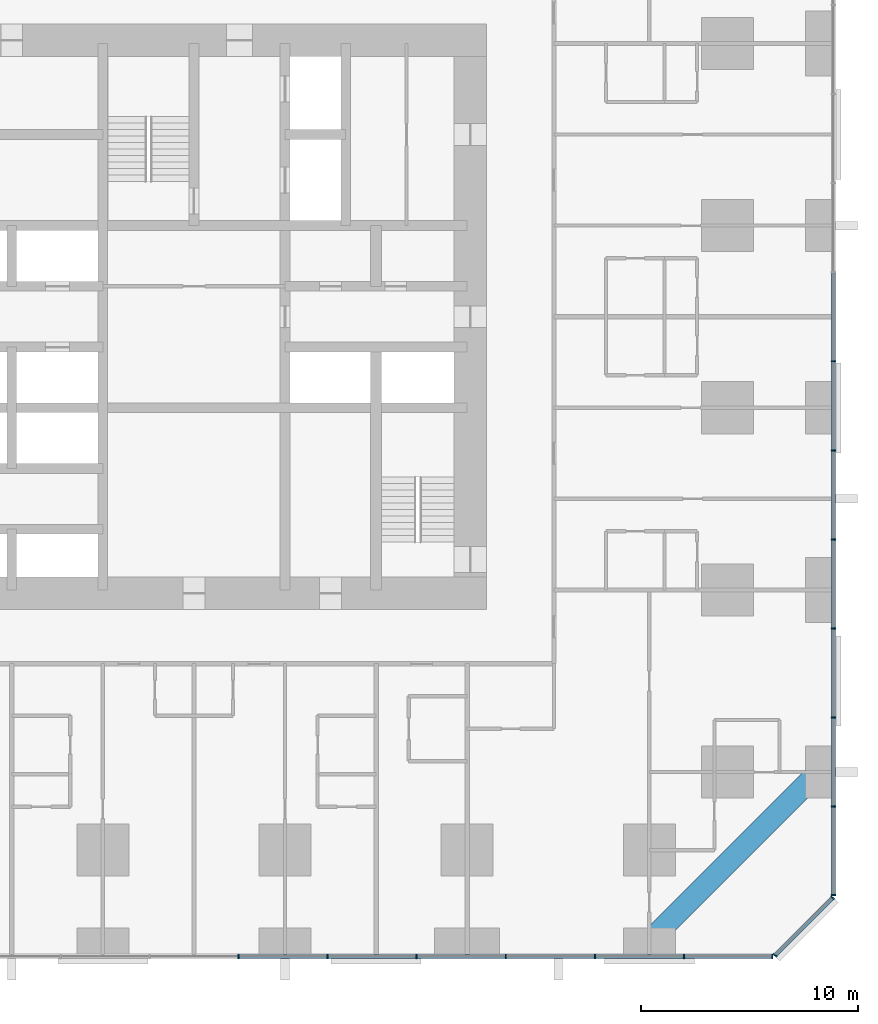
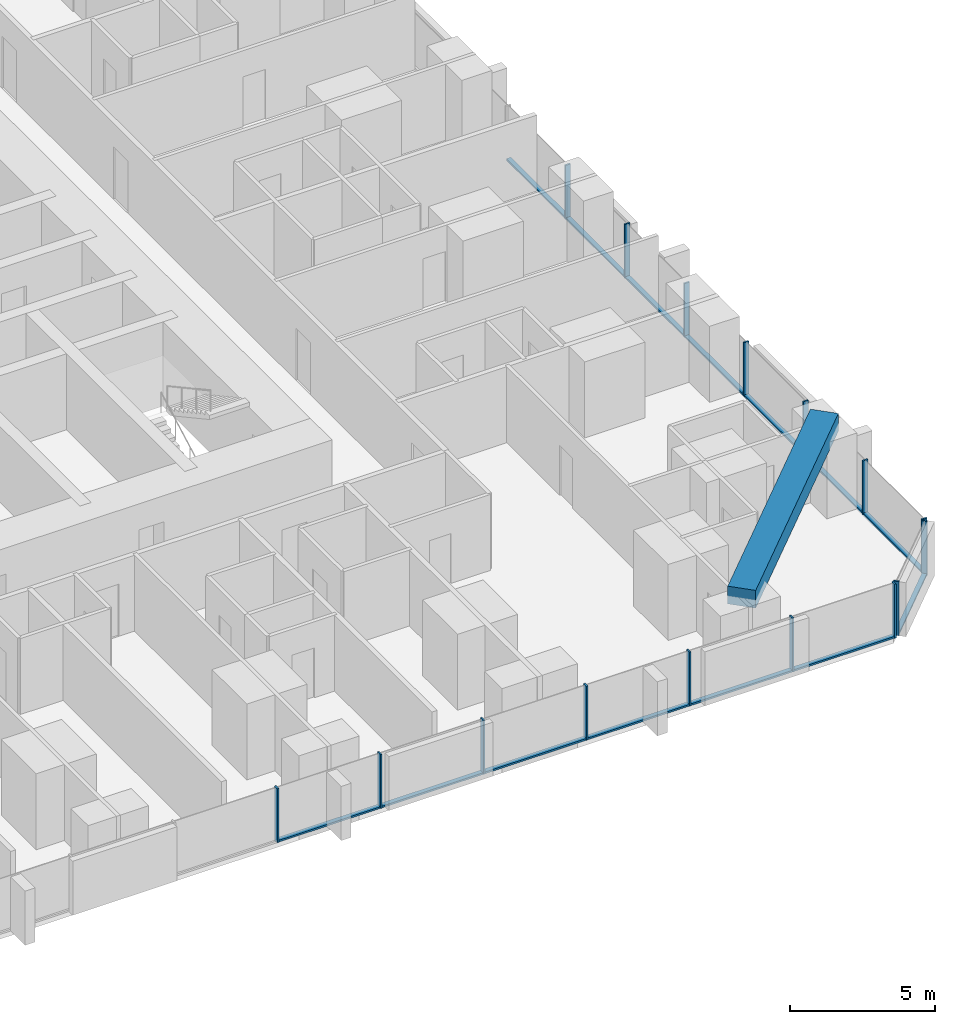
# One storey, part 4 of 16: 30 members, 1 beam, 3 elements without a shape of their own.
"""IFC4 building model written with IfcOpenShell, lengths in metres."""

from ifc_helpers import new_model, si_unit, direction, frame, origin, origin_2d, place, context, subcontext, project, spatial, rectangle, extrude, material, material_profile, profile_set, type_object, element, aggregate, save


model = new_model("IFC4")

# Units and contexts
model_context = context("Model", 3, precision=1e-05, world=origin(), true_north=direction((0.0, 1.0)))
body_context = subcontext(model_context, "Body", "Model", "MODEL_VIEW")
ifc_project = project(units=[si_unit("LENGTHUNIT", "METRE"), si_unit("AREAUNIT", "SQUARE_METRE"), si_unit("VOLUMEUNIT", "CUBIC_METRE"), si_unit("PLANEANGLEUNIT", "RADIAN"), si_unit("MASSUNIT", "GRAM", prefix="KILO")], contexts=[model_context])

# Site, building, storey
site_placement = place(None, origin())
site = spatial("IfcSite", under=ifc_project, at=site_placement, CompositionType="ELEMENT")
building_placement = place(site_placement, origin())
building = spatial("IfcBuilding", under=site, at=building_placement, Name="Dunama Terrace Hotel", CompositionType="ELEMENT")
storey_placement = place(building_placement, frame((0.0, 0.0, 84.60009765625)))
storey = spatial("IfcBuildingStorey", under=building, at=storey_placement, Name="L21", CompositionType="ELEMENT", Elevation=84.60009765625)

# Curtain wall, members
ifc_material_1 = material(Name="Aluminium curtain wall system", Category="aluminium")
curtain_wall_type = type_object("IfcCurtainWallType", Name="Unitised fritted glass wall CW-A", PredefinedType="NOTDEFINED", material=ifc_material_1)
curtain_wall_1_placement = place(storey_placement, origin())
curtain_wall_1 = element("IfcCurtainWall", 1, at=curtain_wall_1_placement, inside=storey, type_object=curtain_wall_type, Name="Unitised fritted glass wall CW-A L21", PredefinedType="NOTDEFINED")
ifc_material_2 = material(Name="Aluminium mullion", Category="aluminium")
ifc_material_profile_1 = material_profile(ifc_material_2, rectangle(XDim=0.06494140625, YDim=0.199951171875, at=origin_2d()), Name="CWA MULLION 65X200")
ifc_profile_set_1 = profile_set([ifc_material_profile_1], Name="Aluminium mullion")
member_type_1 = type_object("IfcMemberType", Name="CWA mullion 65x200", PredefinedType="MULLION", material=ifc_profile_set_1)
member_1_placement = place(storey_placement, frame((31.4541015625, -0.10009765625, 0.0), z_axis=(0.0, 0.0, 1.0), x_axis=(1.0, 0.0, 0.0)))
member_1 = element("IfcMember", 2, at=member_1_placement, type_object=member_type_1, Name="CWA mullion", PredefinedType="MULLION", context=body_context, shape_type="SweptSolid", body=[
    extrude(rectangle(XDim=0.06494140625, YDim=0.199951171875, at=origin_2d()), origin(), (0.0, 0.0, 1.0), 2.27880859375),
])
member_2_placement = place(storey_placement, frame((35.56201171875, -0.10009765625, 0.0), z_axis=(0.0, 0.0, 1.0), x_axis=(1.0, 0.0, 0.0)))
member_2 = element("IfcMember", 3, at=member_2_placement, type_object=member_type_1, Name="CWA mullion", PredefinedType="MULLION", context=body_context, shape_type="SweptSolid", body=[
    extrude(rectangle(XDim=0.06494140625, YDim=0.199951171875, at=origin_2d()), origin(), (0.0, 0.0, 1.0), 2.27880859375),
])
member_3_placement = place(storey_placement, frame((39.6689453125, -0.10009765625, 0.0), z_axis=(0.0, 0.0, 1.0), x_axis=(1.0, 0.0, 0.0)))
member_3 = element("IfcMember", 4, at=member_3_placement, type_object=member_type_1, Name="CWA mullion", PredefinedType="MULLION", context=body_context, shape_type="SweptSolid", body=[
    extrude(rectangle(XDim=0.06494140625, YDim=0.199951171875, at=origin_2d()), origin(), (0.0, 0.0, 1.0), 2.27880859375),
])
member_4_placement = place(storey_placement, frame((43.777099609375, -0.10009765625, 0.0), z_axis=(0.0, 0.0, 1.0), x_axis=(1.0, 0.0, 0.0)))
member_4 = element("IfcMember", 5, at=member_4_placement, type_object=member_type_1, Name="CWA mullion", PredefinedType="MULLION", context=body_context, shape_type="SweptSolid", body=[
    extrude(rectangle(XDim=0.06494140625, YDim=0.199951171875, at=origin_2d()), origin(), (0.0, 0.0, 1.0), 2.27880859375),
])
member_5_placement = place(storey_placement, frame((47.885009765625, -0.10009765625, 0.0), z_axis=(0.0, 0.0, 1.0), x_axis=(1.0, 0.0, 0.0)))
member_5 = element("IfcMember", 6, at=member_5_placement, type_object=member_type_1, Name="CWA mullion", PredefinedType="MULLION", context=body_context, shape_type="SweptSolid", body=[
    extrude(rectangle(XDim=0.06494140625, YDim=0.199951171875, at=origin_2d()), origin(), (0.0, 0.0, 1.0), 2.27880859375),
])
member_6_placement = place(storey_placement, frame((51.991943359375, -0.10009765625, 0.0), z_axis=(0.0, 0.0, 1.0), x_axis=(1.0, 0.0, 0.0)))
member_6 = element("IfcMember", 7, at=member_6_placement, type_object=member_type_1, Name="CWA mullion", PredefinedType="MULLION", context=body_context, shape_type="SweptSolid", body=[
    extrude(rectangle(XDim=0.06494140625, YDim=0.199951171875, at=origin_2d()), origin(), (0.0, 0.0, 1.0), 2.27880859375),
])
member_7_placement = place(storey_placement, frame((56.06689453125, -0.10009765625, 0.0), z_axis=(0.0, 0.0, 1.0), x_axis=(1.0, 0.0, 0.0)))
member_7 = element("IfcMember", 8, at=member_7_placement, type_object=member_type_1, Name="CWA mullion", PredefinedType="MULLION", context=body_context, shape_type="SweptSolid", body=[
    extrude(rectangle(XDim=0.06494140625, YDim=0.199951171875, at=origin_2d()), origin(), (0.0, 0.0, 1.0), 2.27880859375),
])

curtain_wall_2_placement = place(storey_placement, origin())
curtain_wall_2 = element("IfcCurtainWall", 9, at=curtain_wall_2_placement, inside=storey, type_object=curtain_wall_type, Name="Unitised fritted glass wall CW-A L21", PredefinedType="NOTDEFINED")
member_8_placement = place(storey_placement, frame((56.194091796875, -0.048095703125, 0.0), z_axis=(0.0, 0.0, 1.0), x_axis=(0.707106781187, 0.707106781187, 0.0)))
member_8 = element("IfcMember", 10, at=member_8_placement, type_object=member_type_1, Name="CWA mullion", PredefinedType="MULLION", context=body_context, shape_type="SweptSolid", body=[
    extrude(rectangle(XDim=0.06494140625, YDim=0.199951171875, at=origin_2d()), origin(), (0.0, 0.0, 1.0), 2.27880859375),
])
member_9_placement = place(storey_placement, frame((58.847900390625, 2.60595703125, 0.0), z_axis=(0.0, 0.0, 1.0), x_axis=(0.707106781187, 0.707106781187, 0.0)))
member_9 = element("IfcMember", 11, at=member_9_placement, type_object=member_type_1, Name="CWA mullion", PredefinedType="MULLION", context=body_context, shape_type="SweptSolid", body=[
    extrude(rectangle(XDim=0.06494140625, YDim=0.199951171875, at=origin_2d()), origin(), (0.0, 0.0, 1.0), 2.27880859375),
])

curtain_wall_3_placement = place(storey_placement, origin())
curtain_wall_3 = element("IfcCurtainWall", 12, at=curtain_wall_3_placement, inside=storey, type_object=curtain_wall_type, Name="Unitised fritted glass wall CW-A L21", PredefinedType="NOTDEFINED")
member_10_placement = place(storey_placement, frame((58.89990234375, 2.73291015625, 0.0), z_axis=(0.0, 0.0, 1.0), x_axis=(0.0, 1.0, 0.0)))
member_10 = element("IfcMember", 13, at=member_10_placement, type_object=member_type_1, Name="CWA mullion", PredefinedType="MULLION", context=body_context, shape_type="SweptSolid", body=[
    extrude(rectangle(XDim=0.06494140625, YDim=0.199951171875, at=origin_2d()), origin(), (0.0, 0.0, 1.0), 2.27880859375),
])
member_11_placement = place(storey_placement, frame((58.89990234375, 6.80810546875, 0.0), z_axis=(0.0, 0.0, 1.0), x_axis=(0.0, 1.0, 0.0)))
member_11 = element("IfcMember", 14, at=member_11_placement, type_object=member_type_1, Name="CWA mullion", PredefinedType="MULLION", context=body_context, shape_type="SweptSolid", body=[
    extrude(rectangle(XDim=0.06494140625, YDim=0.199951171875, at=origin_2d()), origin(), (0.0, 0.0, 1.0), 2.27880859375),
])
member_12_placement = place(storey_placement, frame((58.89990234375, 10.9150390625, 0.0), z_axis=(0.0, 0.0, 1.0), x_axis=(0.0, 1.0, 0.0)))
member_12 = element("IfcMember", 15, at=member_12_placement, type_object=member_type_1, Name="CWA mullion", PredefinedType="MULLION", context=body_context, shape_type="SweptSolid", body=[
    extrude(rectangle(XDim=0.06494140625, YDim=0.199951171875, at=origin_2d()), origin(), (0.0, 0.0, 1.0), 2.27880859375),
])
member_13_placement = place(storey_placement, frame((58.89990234375, 15.02294921875, 0.0), z_axis=(0.0, 0.0, 1.0), x_axis=(0.0, 1.0, 0.0)))
member_13 = element("IfcMember", 16, at=member_13_placement, type_object=member_type_1, Name="CWA mullion", PredefinedType="MULLION", context=body_context, shape_type="SweptSolid", body=[
    extrude(rectangle(XDim=0.06494140625, YDim=0.199951171875, at=origin_2d()), origin(), (0.0, 0.0, 1.0), 2.27880859375),
])
member_14_placement = place(storey_placement, frame((58.89990234375, 19.131103515625, 0.0), z_axis=(0.0, 0.0, 1.0), x_axis=(0.0, 1.0, 0.0)))
member_14 = element("IfcMember", 17, at=member_14_placement, type_object=member_type_1, Name="CWA mullion", PredefinedType="MULLION", context=body_context, shape_type="SweptSolid", body=[
    extrude(rectangle(XDim=0.06494140625, YDim=0.199951171875, at=origin_2d()), origin(), (0.0, 0.0, 1.0), 2.27880859375),
])
member_15_placement = place(storey_placement, frame((58.89990234375, 23.238037109375, 0.0), z_axis=(0.0, 0.0, 1.0), x_axis=(0.0, 1.0, 0.0)))
member_15 = element("IfcMember", 18, at=member_15_placement, type_object=member_type_1, Name="CWA mullion", PredefinedType="MULLION", context=body_context, shape_type="SweptSolid", body=[
    extrude(rectangle(XDim=0.06494140625, YDim=0.199951171875, at=origin_2d()), origin(), (0.0, 0.0, 1.0), 2.27880859375),
])
member_16_placement = place(storey_placement, frame((58.89990234375, 27.345947265625, 0.0), z_axis=(0.0, 0.0, 1.0), x_axis=(0.0, 1.0, 0.0)))
member_16 = element("IfcMember", 19, at=member_16_placement, type_object=member_type_1, Name="CWA mullion", PredefinedType="MULLION", context=body_context, shape_type="SweptSolid", body=[
    extrude(rectangle(XDim=0.06494140625, YDim=0.199951171875, at=origin_2d()), origin(), (0.0, 0.0, 1.0), 2.27880859375),
])

# Member
ifc_material_3 = material(Name="Aluminium transom", Category="aluminium")
ifc_material_profile_2 = material_profile(ifc_material_3, rectangle(XDim=0.179931640625, YDim=0.074951171875, at=origin_2d()), Name="CWA TRANSOM 180X75")
ifc_profile_set_2 = profile_set([ifc_material_profile_2], Name="Aluminium transom")
member_type_2 = type_object("IfcMemberType", Name="CWA transom 180x75", PredefinedType="USERDEFINED", material=ifc_profile_set_2)
member_17_placement = place(storey_placement, frame((31.486083984375, -0.10009765625, 0.037353515625), z_axis=(1.0, 0.0, 0.0), x_axis=(0.0, 1.0, 0.0)))
member_17 = element("IfcMember", 20, at=member_17_placement, type_object=member_type_2, Name="CWA transom", ObjectType="TRANSOM", PredefinedType="USERDEFINED", context=body_context, shape_type="SweptSolid", body=[
    extrude(rectangle(XDim=0.179931640625, YDim=0.074951171875, at=origin_2d()), origin(), (0.0, 0.0, 1.0), 4.04296875),
])

member_18_placement = place(storey_placement, frame((35.593994140625, -0.10009765625, 0.037353515625), z_axis=(1.0, 0.0, 0.0), x_axis=(0.0, 1.0, 0.0)))
member_18 = element("IfcMember", 21, at=member_18_placement, type_object=member_type_2, Name="CWA transom", ObjectType="TRANSOM", PredefinedType="USERDEFINED", context=body_context, shape_type="SweptSolid", body=[
    extrude(rectangle(XDim=0.179931640625, YDim=0.074951171875, at=origin_2d()), origin(), (0.0, 0.0, 1.0), 4.04296875),
])

member_19_placement = place(storey_placement, frame((39.701904296875, -0.10009765625, 0.037353515625), z_axis=(1.0, 0.0, 0.0), x_axis=(0.0, 1.0, 0.0)))
member_19 = element("IfcMember", 22, at=member_19_placement, type_object=member_type_2, Name="CWA transom", ObjectType="TRANSOM", PredefinedType="USERDEFINED", context=body_context, shape_type="SweptSolid", body=[
    extrude(rectangle(XDim=0.179931640625, YDim=0.074951171875, at=origin_2d()), origin(), (0.0, 0.0, 1.0), 4.0419921875),
])

member_20_placement = place(storey_placement, frame((43.80908203125, -0.10009765625, 0.037353515625), z_axis=(1.0, 0.0, 0.0), x_axis=(0.0, 1.0, 0.0)))
member_20 = element("IfcMember", 23, at=member_20_placement, type_object=member_type_2, Name="CWA transom", ObjectType="TRANSOM", PredefinedType="USERDEFINED", context=body_context, shape_type="SweptSolid", body=[
    extrude(rectangle(XDim=0.179931640625, YDim=0.074951171875, at=origin_2d()), origin(), (0.0, 0.0, 1.0), 4.04296875),
])

member_21_placement = place(storey_placement, frame((47.9169921875, -0.10009765625, 0.037353515625), z_axis=(1.0, 0.0, 0.0), x_axis=(0.0, 1.0, 0.0)))
member_21 = element("IfcMember", 24, at=member_21_placement, type_object=member_type_2, Name="CWA transom", ObjectType="TRANSOM", PredefinedType="USERDEFINED", context=body_context, shape_type="SweptSolid", body=[
    extrude(rectangle(XDim=0.179931640625, YDim=0.074951171875, at=origin_2d()), origin(), (0.0, 0.0, 1.0), 4.04296875),
])

member_22_placement = place(storey_placement, frame((52.02490234375, -0.10009765625, 0.037353515625), z_axis=(1.0, 0.0, 0.0), x_axis=(0.0, 1.0, 0.0)))
member_22 = element("IfcMember", 25, at=member_22_placement, type_object=member_type_2, Name="CWA transom", ObjectType="TRANSOM", PredefinedType="USERDEFINED", context=body_context, shape_type="SweptSolid", body=[
    extrude(rectangle(XDim=0.179931640625, YDim=0.074951171875, at=origin_2d()), origin(), (0.0, 0.0, 1.0), 4.010009765625),
])

aggregate(curtain_wall_1, [member_1, member_2, member_3, member_4, member_5, member_6, member_7, member_17, member_18, member_19, member_20, member_21, member_22])

member_23_placement = place(storey_placement, frame((56.217041015625, -0.02490234375, 0.037353515625), z_axis=(0.707106781187, 0.707106781187, 0.0), x_axis=(-0.707106781187, 0.707106781187, 0.0)))
member_23 = element("IfcMember", 26, at=member_23_placement, type_object=member_type_2, Name="CWA transom", ObjectType="TRANSOM", PredefinedType="USERDEFINED", context=body_context, shape_type="SweptSolid", body=[
    extrude(rectangle(XDim=0.179931640625, YDim=0.074951171875, at=origin_2d()), origin(), (0.0, 0.0, 1.0), 3.688232421875),
])

aggregate(curtain_wall_2, [member_8, member_9, member_23])

member_24_placement = place(storey_placement, frame((58.89990234375, 2.764892578125, 0.037353515625), z_axis=(0.0, 1.0, 0.0), x_axis=(-1.0, 0.0, 0.0)))
member_24 = element("IfcMember", 27, at=member_24_placement, type_object=member_type_2, Name="CWA transom", ObjectType="TRANSOM", PredefinedType="USERDEFINED", context=body_context, shape_type="SweptSolid", body=[
    extrude(rectangle(XDim=0.179931640625, YDim=0.074951171875, at=origin_2d()), origin(), (0.0, 0.0, 1.0), 4.010009765625),
])

member_25_placement = place(storey_placement, frame((58.89990234375, 6.840087890625, 0.037353515625), z_axis=(0.0, 1.0, 0.0), x_axis=(-1.0, 0.0, 0.0)))
member_25 = element("IfcMember", 28, at=member_25_placement, type_object=member_type_2, Name="CWA transom", ObjectType="TRANSOM", PredefinedType="USERDEFINED", context=body_context, shape_type="SweptSolid", body=[
    extrude(rectangle(XDim=0.179931640625, YDim=0.074951171875, at=origin_2d()), origin(), (0.0, 0.0, 1.0), 4.04296875),
])

member_26_placement = place(storey_placement, frame((58.89990234375, 10.947998046875, 0.037353515625), z_axis=(0.0, 1.0, 0.0), x_axis=(-1.0, 0.0, 0.0)))
member_26 = element("IfcMember", 29, at=member_26_placement, type_object=member_type_2, Name="CWA transom", ObjectType="TRANSOM", PredefinedType="USERDEFINED", context=body_context, shape_type="SweptSolid", body=[
    extrude(rectangle(XDim=0.179931640625, YDim=0.074951171875, at=origin_2d()), origin(), (0.0, 0.0, 1.0), 4.04296875),
])

member_27_placement = place(storey_placement, frame((58.89990234375, 15.055908203125, 0.037353515625), z_axis=(0.0, 1.0, 0.0), x_axis=(-1.0, 0.0, 0.0)))
member_27 = element("IfcMember", 30, at=member_27_placement, type_object=member_type_2, Name="CWA transom", ObjectType="TRANSOM", PredefinedType="USERDEFINED", context=body_context, shape_type="SweptSolid", body=[
    extrude(rectangle(XDim=0.179931640625, YDim=0.074951171875, at=origin_2d()), origin(), (0.0, 0.0, 1.0), 4.0419921875),
])

member_28_placement = place(storey_placement, frame((58.89990234375, 19.1630859375, 0.037353515625), z_axis=(0.0, 1.0, 0.0), x_axis=(-1.0, 0.0, 0.0)))
member_28 = element("IfcMember", 31, at=member_28_placement, type_object=member_type_2, Name="CWA transom", ObjectType="TRANSOM", PredefinedType="USERDEFINED", context=body_context, shape_type="SweptSolid", body=[
    extrude(rectangle(XDim=0.179931640625, YDim=0.074951171875, at=origin_2d()), origin(), (0.0, 0.0, 1.0), 4.04296875),
])

member_29_placement = place(storey_placement, frame((58.89990234375, 23.27099609375, 0.037353515625), z_axis=(0.0, 1.0, 0.0), x_axis=(-1.0, 0.0, 0.0)))
member_29 = element("IfcMember", 32, at=member_29_placement, type_object=member_type_2, Name="CWA transom", ObjectType="TRANSOM", PredefinedType="USERDEFINED", context=body_context, shape_type="SweptSolid", body=[
    extrude(rectangle(XDim=0.179931640625, YDim=0.074951171875, at=origin_2d()), origin(), (0.0, 0.0, 1.0), 4.04296875),
])

member_30_placement = place(storey_placement, frame((58.89990234375, 27.37890625, 0.037353515625), z_axis=(0.0, 1.0, 0.0), x_axis=(-1.0, 0.0, 0.0)))
member_30 = element("IfcMember", 33, at=member_30_placement, type_object=member_type_2, Name="CWA transom", ObjectType="TRANSOM", PredefinedType="USERDEFINED", context=body_context, shape_type="SweptSolid", body=[
    extrude(rectangle(XDim=0.179931640625, YDim=0.074951171875, at=origin_2d()), origin(), (0.0, 0.0, 1.0), 4.0419921875),
])

aggregate(curtain_wall_3, [member_10, member_11, member_12, member_13, member_14, member_15, member_16, member_24, member_25, member_26, member_27, member_28, member_29, member_30])

# Beam
ifc_material_4 = material(Name="Concrete C50/60", Category="concrete")
ifc_material_profile_3 = material_profile(ifc_material_4, rectangle(XDim=1.0, YDim=0.75, at=origin_2d()), Name="RC 1000x750")
ifc_profile_set_3 = profile_set([ifc_material_profile_3], Name="Concrete C50/60")
beam_type = type_object("IfcBeamType", Name="Edge beam RC 1000x750", PredefinedType="SPANDREL", material=ifc_profile_set_3)
beam_placement = place(storey_placement, frame((50.39990234375, 0.60009765625, 3.224853515625), z_axis=(0.707117847453, 0.707095714747, 0.0), x_axis=(-0.707095714747, 0.707117847453, 0.0)))
element("IfcBeam", 34, at=beam_placement, inside=storey, type_object=beam_type, Name="Corner edge beam under L22", PredefinedType="SPANDREL", context=body_context, shape_type="SweptSolid", body=[
    extrude(rectangle(XDim=1.0, YDim=0.75, at=origin_2d()), origin(), (0.0, 0.0, 1.0), 11.03076171875),
])

save(model, "model.ifc")
